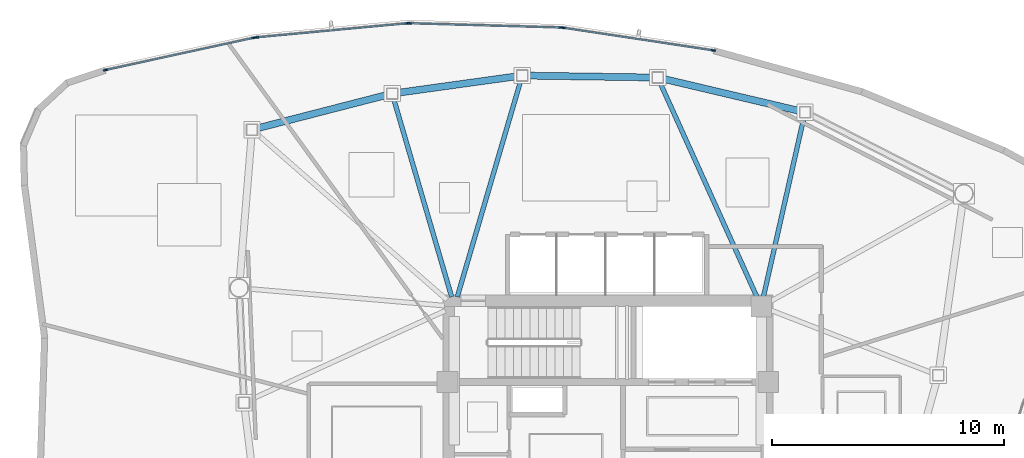
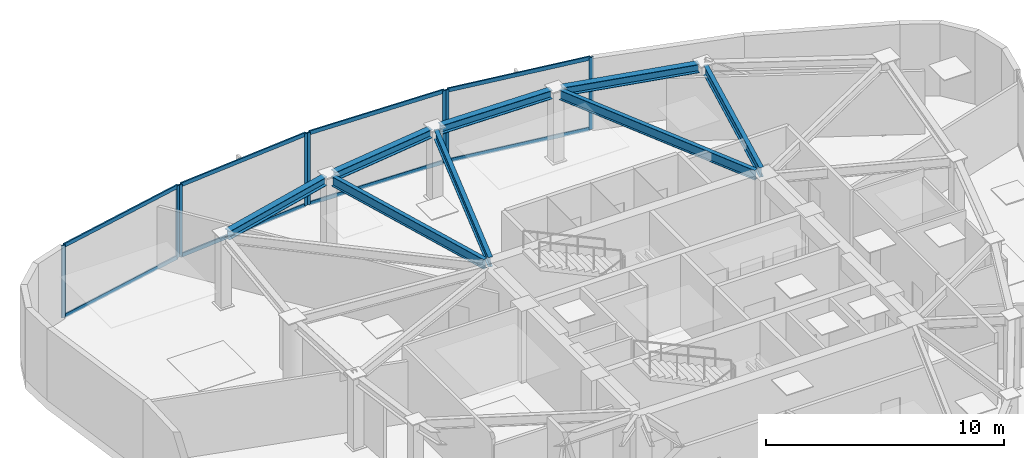
# One storey, part 6 of 14: 16 members, 8 beams, 4 elements without a shape of their own.
"""IFC4 building model written with IfcOpenShell, lengths in metres."""

from ifc_helpers import new_model, si_unit, direction, frame, origin, origin_2d, place, context, subcontext, project, spatial, hollow_rectangle, i_section, extrude, source, transform, mapped, material, layer, layer_set, material_profile, profile_set, type_object, type_shapes, element, aggregate, save


model = new_model("IFC4")

# Units and contexts
model_context = context("Model", 3, precision=1e-05, world=origin(), true_north=direction((0.0, 1.0)))
body_context = subcontext(model_context, "Body", "Model", "MODEL_VIEW")
ifc_project = project(units=[si_unit("LENGTHUNIT", "METRE"), si_unit("AREAUNIT", "SQUARE_METRE"), si_unit("VOLUMEUNIT", "CUBIC_METRE"), si_unit("PLANEANGLEUNIT", "RADIAN"), si_unit("MASSUNIT", "GRAM", prefix="KILO")], contexts=[model_context])

# Site, building, storey
site_placement = place(None, origin())
site = spatial("IfcSite", under=ifc_project, at=site_placement, CompositionType="ELEMENT")
building_placement = place(site_placement, origin())
building = spatial("IfcBuilding", under=site, at=building_placement, Name="Tavelor Broadcast Tower", CompositionType="ELEMENT")
storey_placement = place(building_placement, frame((0.0, 0.0, 273.5)))
storey = spatial("IfcBuildingStorey", under=building, at=storey_placement, Name="L65", CompositionType="ELEMENT", Elevation=273.5)

# Beams
ifc_material_1 = material(Name="Steel S355", Category="steel")
ifc_material_profile_1 = material_profile(ifc_material_1, i_section(OverallWidth=0.300048828125, OverallDepth=0.43994140625, WebThickness=0.011474609375, FlangeThickness=0.02099609375, at=origin_2d()), Name="HEA 450")
ifc_profile_set_1 = profile_set([ifc_material_profile_1], Name="Steel S355")
beam_type_1 = type_object("IfcBeamType", Name="Perimeter Spandrel Beam T7 HEA 450", PredefinedType="SPANDREL", material=ifc_profile_set_1)
beam_1_placement = place(storey_placement, frame((58.251953125, 59.6123046875, 3.47998046875), z_axis=(-0.973341210947, 0.229361912863, 0.0), x_axis=(-0.229361912863, -0.973341210947, 0.0)))
element("IfcBeam", 1, at=beam_1_placement, inside=storey, type_object=beam_type_1, Name="L65 Framed-Tube Ring Spandrel 14", PredefinedType="SPANDREL", context=body_context, shape_type="SweptSolid", body=[
    extrude(i_section(OverallWidth=0.300048828125, OverallDepth=0.43994140625, WebThickness=0.011474609375, FlangeThickness=0.02099609375, at=origin_2d()), origin(), (0.0, 0.0, 1.0), 6.0322265625),
])
beam_2_placement = place(storey_placement, frame((51.906982421875, 61.054443359375, 3.47998046875), z_axis=(-0.999890103457, 0.014825012939, 0.0), x_axis=(-0.014825012939, -0.999890103457, 0.0)))
element("IfcBeam", 2, at=beam_2_placement, inside=storey, type_object=beam_type_1, Name="L65 Framed-Tube Ring Spandrel 15", PredefinedType="SPANDREL", context=body_context, shape_type="SweptSolid", body=[
    extrude(i_section(OverallWidth=0.300048828125, OverallDepth=0.43994140625, WebThickness=0.011474609375, FlangeThickness=0.02099609375, at=origin_2d()), origin(), (0.0, 0.0, 1.0), 5.35205078125),
])
beam_3_placement = place(storey_placement, frame((46.077880859375, 61.104248046875, 3.47998046875), z_axis=(-0.99051816585, -0.137381815101, 0.0), x_axis=(0.137381815101, -0.99051816585, 0.0)))
element("IfcBeam", 3, at=beam_3_placement, inside=storey, type_object=beam_type_1, Name="L65 Framed-Tube Ring Spandrel 16", PredefinedType="SPANDREL", context=body_context, shape_type="SweptSolid", body=[
    extrude(i_section(OverallWidth=0.300048828125, OverallDepth=0.43994140625, WebThickness=0.011474609375, FlangeThickness=0.02099609375, at=origin_2d()), origin(), (0.0, 0.0, 1.0), 5.17138671875),
])
beam_4_placement = place(storey_placement, frame((40.485595703125, 60.301025390625, 3.47998046875), z_axis=(-0.968436978706, -0.249258537014, 0.0), x_axis=(0.249258537014, -0.968436978706, 0.0)))
element("IfcBeam", 4, at=beam_4_placement, inside=storey, type_object=beam_type_1, Name="L65 Framed-Tube Ring Spandrel 17", PredefinedType="SPANDREL", context=body_context, shape_type="SweptSolid", body=[
    extrude(i_section(OverallWidth=0.300048828125, OverallDepth=0.43994140625, WebThickness=0.011474609375, FlangeThickness=0.02099609375, at=origin_2d()), origin(), (0.0, 0.0, 1.0), 5.74560546875),
])
ifc_material_profile_2 = material_profile(ifc_material_1, i_section(OverallWidth=0.199951171875, OverallDepth=0.5, WebThickness=0.01025390625, FlangeThickness=0.01611328125, at=origin_2d()), Name="IPE 500")
ifc_profile_set_2 = profile_set([ifc_material_profile_2], Name="Steel S355")
beam_type_2 = type_object("IfcBeamType", Name="Radial Floor Girder T7 IPE 500", PredefinedType="BEAM", material=ifc_profile_set_2)
beam_5_placement = place(storey_placement, frame((56.695068359375, 51.621337890625, 3.449951171875), z_axis=(0.22010521598, 0.975476137021, 0.0), x_axis=(-0.975476137021, 0.22010521598, 0.0)))
element("IfcBeam", 5, at=beam_5_placement, inside=storey, type_object=beam_type_2, Name="L65 Radial Primary Floor Girder 14", PredefinedType="BEAM", context=body_context, shape_type="SweptSolid", body=[
    extrude(i_section(OverallWidth=0.199951171875, OverallDepth=0.5, WebThickness=0.01025390625, FlangeThickness=0.01611328125, at=origin_2d()), origin(), (0.0, 0.0, 1.0), 7.895263671875),
])
beam_6_placement = place(storey_placement, frame((56.422119140625, 51.59375, 3.449951171875), z_axis=(-0.411897039455, 0.911230392869, 0.0), x_axis=(-0.911230392869, -0.411897039455, 0.0)))
element("IfcBeam", 6, at=beam_6_placement, inside=storey, type_object=beam_type_2, Name="L65 Radial Primary Floor Girder 15", PredefinedType="BEAM", context=body_context, shape_type="SweptSolid", body=[
    extrude(i_section(OverallWidth=0.199951171875, OverallDepth=0.5, WebThickness=0.01025390625, FlangeThickness=0.01611328125, at=origin_2d()), origin(), (0.0, 0.0, 1.0), 10.138427734375),
])
beam_7_placement = place(storey_placement, frame((43.521484375, 51.614501953125, 3.449951171875), z_axis=(0.281523398042, 0.959554363418, 0.0), x_axis=(-0.959554363418, 0.281523398042, 0.0)))
element("IfcBeam", 7, at=beam_7_placement, inside=storey, type_object=beam_type_2, Name="L65 Radial Primary Floor Girder 16", PredefinedType="BEAM", context=body_context, shape_type="SweptSolid", body=[
    extrude(i_section(OverallWidth=0.199951171875, OverallDepth=0.5, WebThickness=0.01025390625, FlangeThickness=0.01611328125, at=origin_2d()), origin(), (0.0, 0.0, 1.0), 9.68408203125),
])
beam_8_placement = place(storey_placement, frame((43.278564453125, 51.614501953125, 3.449951171875), z_axis=(-0.280965508075, 0.959717866496, 0.0), x_axis=(-0.959717866496, -0.280965508075, 0.0)))
element("IfcBeam", 8, at=beam_8_placement, inside=storey, type_object=beam_type_2, Name="L65 Radial Primary Floor Girder 17", PredefinedType="BEAM", context=body_context, shape_type="SweptSolid", body=[
    extrude(i_section(OverallWidth=0.199951171875, OverallDepth=0.5, WebThickness=0.01025390625, FlangeThickness=0.01611328125, at=origin_2d()), origin(), (0.0, 0.0, 1.0), 8.87353515625),
])

# Curtain wall, members
ifc_material_2 = material(Name="Architectural Anodized Aluminium", Category="aluminium")
ifc_layer = layer(ifc_material_2, 0.199951171875)
ifc_layer_set = layer_set([ifc_layer], Name="Architectural Anodized Aluminium")
curtain_wall_type = type_object("IfcCurtainWallType", Name="Tower High-Zone Triple-Glazed Curtain Wall CW04", PredefinedType="NOTDEFINED", material=ifc_layer_set)
curtain_wall_1_placement = place(storey_placement, origin())
curtain_wall_1 = element("IfcCurtainWall", 9, at=curtain_wall_1_placement, inside=storey, type_object=curtain_wall_type, Name="L65 Curtain Wall CW04 Run 717", PredefinedType="NOTDEFINED")
ifc_material_profile_3 = material_profile(ifc_material_2, hollow_rectangle(XDim=0.070068359375, YDim=0.199951171875, WallThickness=0.02197265625, at=origin_2d()), Name="RHS 70x200x22")
ifc_profile_set_3 = profile_set([ifc_material_profile_3], Name="Architectural Anodized Aluminium")
member_type_1 = type_object("IfcMemberType", Name="CW04 Extruded Aluminium Mullion 70x200", PredefinedType="MULLION", material=ifc_profile_set_3)
shared_shape_1 = source(origin(), body_context, "Body", "SweptSolid", [
    extrude(hollow_rectangle(XDim=0.070068359375, YDim=0.199951171875, WallThickness=0.02197265625, at=origin_2d()), origin(), (0.0, 0.0, 1.0), 3.699951171875),
])
type_shapes(member_type_1, [shared_shape_1])
member_1_placement = place(storey_placement, frame((54.531494140625, 62.218505859375, 0.0), z_axis=(0.0, 0.0, 1.0), x_axis=(-0.149116029476, -0.988819705383, 0.0)))
member_1 = element("IfcMember", 10, at=member_1_placement, type_object=member_type_1, Name="CW04 mullion 1", PredefinedType="MULLION", context=body_context, shape_type="MappedRepresentation", body=[
    mapped(shared_shape_1, transform((0.0, 0.0, 0.0), scale=1.0)),
])
member_2_placement = place(storey_placement, frame((48.07373046875, 63.1923828125, 0.0), z_axis=(0.0, 0.0, 1.0), x_axis=(-0.149116029476, -0.988819705383, 0.0)))
member_2 = element("IfcMember", 11, at=member_2_placement, type_object=member_type_1, Name="CW04 mullion 2", PredefinedType="MULLION", context=body_context, shape_type="MappedRepresentation", body=[
    mapped(shared_shape_1, transform((0.0, 0.0, 0.0), scale=1.0)),
])

curtain_wall_2_placement = place(storey_placement, origin())
curtain_wall_2 = element("IfcCurtainWall", 12, at=curtain_wall_2_placement, inside=storey, type_object=curtain_wall_type, Name="L65 Curtain Wall CW04 Run 718", PredefinedType="NOTDEFINED")
member_3_placement = place(storey_placement, frame((47.97412109375, 63.201171875, 0.0), z_axis=(0.0, 0.0, 1.0), x_axis=(-0.0283491003, -0.999598083488, 0.0)))
member_3 = element("IfcMember", 13, at=member_3_placement, type_object=member_type_1, Name="CW04 mullion 1", PredefinedType="MULLION", context=body_context, shape_type="MappedRepresentation", body=[
    mapped(shared_shape_1, transform((0.0, 0.0, 0.0), scale=1.0)),
])
member_4_placement = place(storey_placement, frame((41.461181640625, 63.3857421875, 0.0), z_axis=(0.0, 0.0, 1.0), x_axis=(-0.0283491003, -0.999598083488, 0.0)))
member_4 = element("IfcMember", 14, at=member_4_placement, type_object=member_type_1, Name="CW04 mullion 2", PredefinedType="MULLION", context=body_context, shape_type="MappedRepresentation", body=[
    mapped(shared_shape_1, transform((0.0, 0.0, 0.0), scale=1.0)),
])

curtain_wall_3_placement = place(storey_placement, origin())
curtain_wall_3 = element("IfcCurtainWall", 15, at=curtain_wall_3_placement, inside=storey, type_object=curtain_wall_type, Name="L65 Curtain Wall CW04 Run 719", PredefinedType="NOTDEFINED")
member_5_placement = place(storey_placement, frame((41.361328125, 63.382568359375, 0.0), z_axis=(0.0, 0.0, 1.0), x_axis=(0.092804011059, -0.995684395545, 0.0)))
member_5 = element("IfcMember", 16, at=member_5_placement, type_object=member_type_1, Name="CW04 mullion 1", PredefinedType="MULLION", context=body_context, shape_type="MappedRepresentation", body=[
    mapped(shared_shape_1, transform((0.0, 0.0, 0.0), scale=1.0)),
])
member_6_placement = place(storey_placement, frame((34.87353515625, 62.77783203125, 0.0), z_axis=(0.0, 0.0, 1.0), x_axis=(0.092804011059, -0.995684395545, 0.0)))
member_6 = element("IfcMember", 17, at=member_6_placement, type_object=member_type_1, Name="CW04 mullion 2", PredefinedType="MULLION", context=body_context, shape_type="MappedRepresentation", body=[
    mapped(shared_shape_1, transform((0.0, 0.0, 0.0), scale=1.0)),
])

curtain_wall_4_placement = place(storey_placement, origin())
curtain_wall_4 = element("IfcCurtainWall", 18, at=curtain_wall_4_placement, inside=storey, type_object=curtain_wall_type, Name="L65 Curtain Wall CW04 Run 720", PredefinedType="NOTDEFINED")
member_7_placement = place(storey_placement, frame((34.77490234375, 62.762451171875, 0.0), z_axis=(0.0, 0.0, 1.0), x_axis=(0.212625217589, -0.9771338275, 0.0)))
member_7 = element("IfcMember", 19, at=member_7_placement, type_object=member_type_1, Name="CW04 mullion 1", PredefinedType="MULLION", context=body_context, shape_type="MappedRepresentation", body=[
    mapped(shared_shape_1, transform((0.0, 0.0, 0.0), scale=1.0)),
])
member_8_placement = place(storey_placement, frame((28.392578125, 61.373779296875, 0.0), z_axis=(0.0, 0.0, 1.0), x_axis=(0.212625217589, -0.9771338275, 0.0)))
member_8 = element("IfcMember", 20, at=member_8_placement, type_object=member_type_1, Name="CW04 mullion 2", PredefinedType="MULLION", context=body_context, shape_type="MappedRepresentation", body=[
    mapped(shared_shape_1, transform((0.0, 0.0, 0.0), scale=1.0)),
])

# Member
ifc_material_profile_4 = material_profile(ifc_material_2, hollow_rectangle(XDim=0.070068359375, YDim=0.199951171875, WallThickness=0.02197265625, at=origin_2d()), Name="RHS 70x200x22")
ifc_profile_set_4 = profile_set([ifc_material_profile_4], Name="Architectural Anodized Aluminium")
member_type_2 = type_object("IfcMemberType", Name="CW04 Extruded Aluminium Transom 70x200", PredefinedType="USERDEFINED", material=ifc_profile_set_4)
shared_shape_2 = source(origin(), body_context, "Body", "SweptSolid", [
    extrude(hollow_rectangle(XDim=0.070068359375, YDim=0.199951171875, WallThickness=0.02197265625, at=origin_2d()), origin(), (0.0, 0.0, 1.0), 6.4609375),
])
member_9_placement = place(storey_placement, frame((54.4970703125, 62.2236328125, 0.034912109375), z_axis=(-0.988820751734, 0.149109090735, 0.0), x_axis=(-0.149109090735, -0.988820751734, 0.0)))
member_9 = element("IfcMember", 21, at=member_9_placement, type_object=member_type_2, Name="CW04 transom 1.1", ObjectType="TRANSOM", PredefinedType="USERDEFINED", context=body_context, shape_type="MappedRepresentation", body=[
    mapped(shared_shape_2, transform((0.0, 0.0, 0.0), scale=1.0)),
])

member_10_placement = place(storey_placement, frame((54.4970703125, 62.2236328125, 3.6650390625), z_axis=(-0.988820751734, 0.149109090735, 0.0), x_axis=(-0.149109090735, -0.988820751734, 0.0)))
member_10 = element("IfcMember", 22, at=member_10_placement, type_object=member_type_2, Name="CW04 transom 1.2", ObjectType="TRANSOM", PredefinedType="USERDEFINED", context=body_context, shape_type="MappedRepresentation", body=[
    mapped(shared_shape_2, transform((0.0, 0.0, 0.0), scale=1.0)),
])

aggregate(curtain_wall_1, [member_1, member_2, member_9, member_10])

shared_shape_3 = source(origin(), body_context, "Body", "SweptSolid", [
    extrude(hollow_rectangle(XDim=0.070068359375, YDim=0.199951171875, WallThickness=0.02197265625, at=origin_2d()), origin(), (0.0, 0.0, 1.0), 6.44580078125),
])
member_11_placement = place(storey_placement, frame((47.939208984375, 63.2021484375, 0.034912109375), z_axis=(-0.999598579134, 0.028331618248, 0.0), x_axis=(-0.028331618248, -0.999598579134, 0.0)))
member_11 = element("IfcMember", 23, at=member_11_placement, type_object=member_type_2, Name="CW04 transom 1.1", ObjectType="TRANSOM", PredefinedType="USERDEFINED", context=body_context, shape_type="MappedRepresentation", body=[
    mapped(shared_shape_3, transform((0.0, 0.0, 0.0), scale=1.0)),
])

member_12_placement = place(storey_placement, frame((47.939208984375, 63.2021484375, 3.6650390625), z_axis=(-0.999598579134, 0.028331618248, 0.0), x_axis=(-0.028331618248, -0.999598579134, 0.0)))
member_12 = element("IfcMember", 24, at=member_12_placement, type_object=member_type_2, Name="CW04 transom 1.2", ObjectType="TRANSOM", PredefinedType="USERDEFINED", context=body_context, shape_type="MappedRepresentation", body=[
    mapped(shared_shape_3, transform((0.0, 0.0, 0.0), scale=1.0)),
])

aggregate(curtain_wall_2, [member_3, member_4, member_11, member_12])

member_13_placement = place(storey_placement, frame((41.326416015625, 63.37939453125, 0.034912109375), z_axis=(-0.995681616074, -0.092833826879, 0.0), x_axis=(0.092833826879, -0.995681616074, 0.0)))
member_13 = element("IfcMember", 25, at=member_13_placement, type_object=member_type_2, Name="CW04 transom 1.1", ObjectType="TRANSOM", PredefinedType="USERDEFINED", context=body_context, shape_type="MappedRepresentation", body=[
    mapped(shared_shape_3, transform((0.0, 0.0, 0.0), scale=1.0)),
])

member_14_placement = place(storey_placement, frame((41.326416015625, 63.37939453125, 3.6650390625), z_axis=(-0.995681616074, -0.092833826879, 0.0), x_axis=(0.092833826879, -0.995681616074, 0.0)))
member_14 = element("IfcMember", 26, at=member_14_placement, type_object=member_type_2, Name="CW04 transom 1.2", ObjectType="TRANSOM", PredefinedType="USERDEFINED", context=body_context, shape_type="MappedRepresentation", body=[
    mapped(shared_shape_3, transform((0.0, 0.0, 0.0), scale=1.0)),
])

aggregate(curtain_wall_3, [member_5, member_6, member_13, member_14])

shared_shape_4 = source(origin(), body_context, "Body", "SweptSolid", [
    extrude(hollow_rectangle(XDim=0.070068359375, YDim=0.199951171875, WallThickness=0.02197265625, at=origin_2d()), origin(), (0.0, 0.0, 1.0), 6.461669921875),
])
type_shapes(member_type_2, [shared_shape_2, shared_shape_3, shared_shape_4])
member_15_placement = place(storey_placement, frame((34.74072265625, 62.755126953125, 0.034912109375), z_axis=(-0.977130647697, -0.212639830069, 0.0), x_axis=(0.212639830069, -0.977130647697, 0.0)))
member_15 = element("IfcMember", 27, at=member_15_placement, type_object=member_type_2, Name="CW04 transom 1.1", ObjectType="TRANSOM", PredefinedType="USERDEFINED", context=body_context, shape_type="MappedRepresentation", body=[
    mapped(shared_shape_4, transform((0.0, 0.0, 0.0), scale=1.0)),
])

member_16_placement = place(storey_placement, frame((34.74072265625, 62.755126953125, 3.6650390625), z_axis=(-0.977130647697, -0.212639830069, 0.0), x_axis=(0.212639830069, -0.977130647697, 0.0)))
member_16 = element("IfcMember", 28, at=member_16_placement, type_object=member_type_2, Name="CW04 transom 1.2", ObjectType="TRANSOM", PredefinedType="USERDEFINED", context=body_context, shape_type="MappedRepresentation", body=[
    mapped(shared_shape_4, transform((0.0, 0.0, 0.0), scale=1.0)),
])

aggregate(curtain_wall_4, [member_7, member_8, member_15, member_16])

save(model, "model.ifc")
